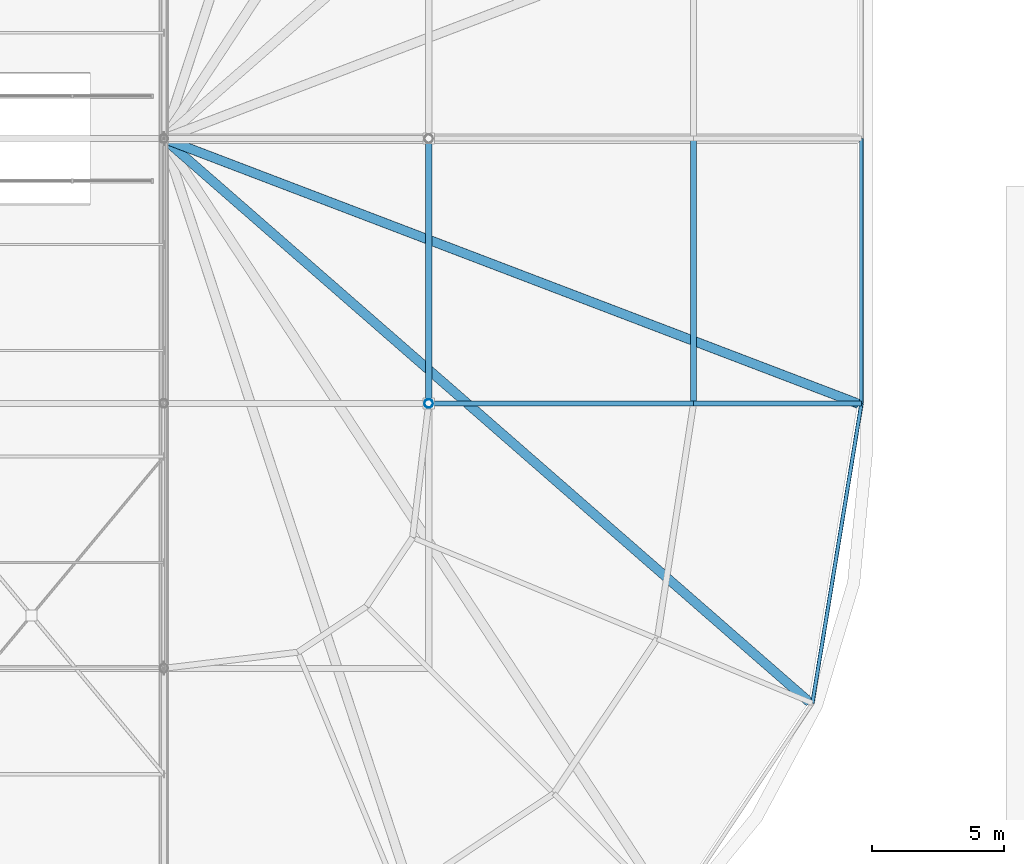
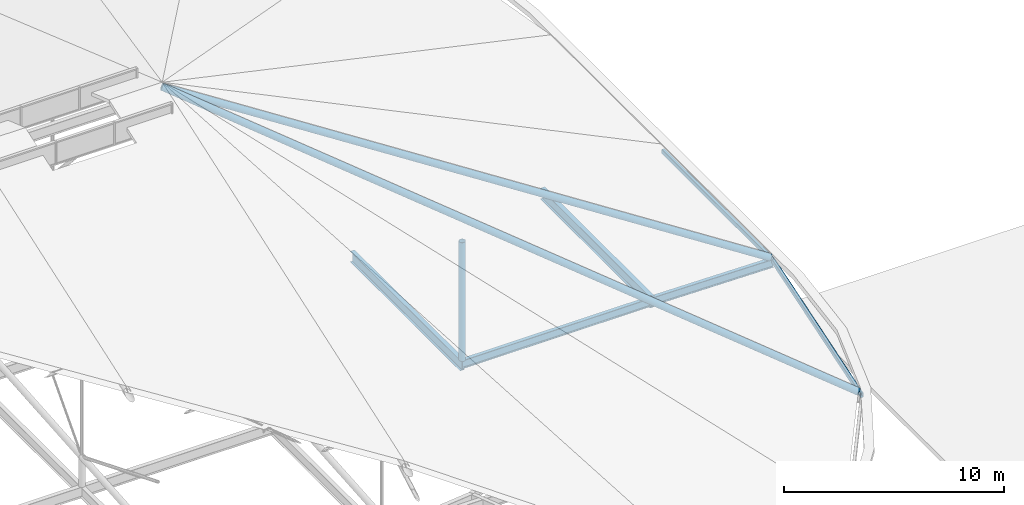
# One storey, part 66 of 93: 6 beams, 3 members.
"""IFC4 building model written with IfcOpenShell, lengths in metres."""

from ifc_helpers import new_model, si_unit, derived_unit, direction, frame, origin, origin_2d_with_axis, place, context, subcontext, project, spatial, hollow_rectangle, hollow_circle, i_section, extrude, material, material_profile, profile_set, type_object, element, save


model = new_model("IFC4")

# Units and contexts
model_context = context("Model", 3, precision=1e-05, world=origin(), true_north=direction((0.0, 1.0)))
body_context = subcontext(model_context, "Body", "Model", "MODEL_VIEW")
ifc_project = project(units=[si_unit("LENGTHUNIT", "METRE"), si_unit("AREAUNIT", "SQUARE_METRE"), si_unit("VOLUMEUNIT", "CUBIC_METRE"), si_unit("PLANEANGLEUNIT", "RADIAN"), si_unit("MASSUNIT", "GRAM", prefix="KILO"), derived_unit("THERMALTRANSMITTANCEUNIT", [(si_unit("POWERUNIT", "WATT"), 1), (si_unit("LENGTHUNIT", "METRE"), -2), (si_unit("THERMODYNAMICTEMPERATUREUNIT", "KELVIN"), -1)])], contexts=[model_context])

# Site, building, storey
site_placement = place(None, origin())
site = spatial("IfcSite", under=ifc_project, at=site_placement, CompositionType="ELEMENT")
building_placement = place(site_placement, origin())
building = spatial("IfcBuilding", under=site, at=building_placement, Name="Cinnabar Yard Market Hall", CompositionType="ELEMENT")
storey_placement = place(building_placement, frame((0.0, 0.0, 23.800048828125)))
storey = spatial("IfcBuildingStorey", under=building, at=storey_placement, Name="ROOF", CompositionType="ELEMENT", Elevation=23.800048828125)

# Beams
ifc_material_1 = material(Name="Steel Grade 350 (350 MPa)", Category="steel")
ifc_material_profile_1 = material_profile(ifc_material_1, i_section(OverallWidth=0.22900390625, OverallDepth=0.611572265625, WebThickness=0.011962890625, FlangeThickness=0.01953125, FilletRadius=0.013916015625, at=origin_2d_with_axis()), Name="610UB125")
ifc_profile_set_1 = profile_set([ifc_material_profile_1], Name="Steel Grade 350 (350 MPa)")
beam_type_1 = type_object("IfcBeamType", Name="BM-B01E", PredefinedType="BEAM", material=ifc_profile_set_1)
beam_1_placement = place(storey_placement, frame((166.0, 34.0, -9.705810546875), z_axis=(0.0, 1.0, 0.0), x_axis=(-1.0, 0.0, 0.0)))
element("IfcBeam", 1, at=beam_1_placement, inside=storey, type_object=beam_type_1, Name="East Springer Girder 00369", PredefinedType="BEAM", context=body_context, shape_type="SweptSolid", body=[
    extrude(i_section(OverallWidth=0.22900390625, OverallDepth=0.611572265625, WebThickness=0.011962890625, FlangeThickness=0.01953125, FilletRadius=0.013916015625, at=origin_2d_with_axis()), origin(), (0.0, 0.0, 1.0), 10.0),
])
ifc_material_2 = material(Name="Steel Grade 300 (300 MPa)", Category="steel")
ifc_material_profile_2 = material_profile(ifc_material_2, i_section(OverallWidth=0.22802734375, OverallDepth=0.60205078125, WebThickness=0.010498046875, FlangeThickness=0.014892578125, FilletRadius=0.013916015625, at=origin_2d_with_axis()), Name="610UB101")
ifc_profile_set_2 = profile_set([ifc_material_profile_2], Name="Steel Grade 300 (300 MPa)")
beam_type_2 = type_object("IfcBeamType", Name="BM-B02", PredefinedType="BEAM", material=ifc_profile_set_2)
beam_2_placement = place(storey_placement, frame((156.0, 34.0, -9.700927734375), z_axis=(0.0, 1.0, 0.0), x_axis=(-1.0, 0.0, 0.0)))
element("IfcBeam", 2, at=beam_2_placement, inside=storey, type_object=beam_type_2, Name="Hall Transverse Tie Girder 00445", PredefinedType="BEAM", context=body_context, shape_type="SweptSolid", body=[
    extrude(i_section(OverallWidth=0.22802734375, OverallDepth=0.60205078125, WebThickness=0.010498046875, FlangeThickness=0.014892578125, FilletRadius=0.013916015625, at=origin_2d_with_axis()), origin(), (0.0, 0.0, 1.0), 10.0),
])
ifc_material_profile_3 = material_profile(ifc_material_2, i_section(OverallWidth=0.19091796875, OverallDepth=0.46044921875, WebThickness=0.010009765625, FlangeThickness=0.01611328125, FilletRadius=0.011474609375, at=origin_2d_with_axis()), Name="460UB82.1")
ifc_profile_set_3 = profile_set([ifc_material_profile_3], Name="Steel Grade 300 (300 MPa)")
beam_type_3 = type_object("IfcBeamType", Name="BM-B04", PredefinedType="BEAM", material=ifc_profile_set_3)
beam_3_placement = place(storey_placement, frame((156.0, 34.0, -9.630126953125), z_axis=(1.0, 0.0, 0.0), x_axis=(0.0, 1.0, 0.0)))
element("IfcBeam", 3, at=beam_3_placement, inside=storey, type_object=beam_type_3, Name="East Chhajja Backspan Girder 00562", PredefinedType="BEAM", context=body_context, shape_type="SweptSolid", body=[
    extrude(i_section(OverallWidth=0.19091796875, OverallDepth=0.46044921875, WebThickness=0.010009765625, FlangeThickness=0.01611328125, FilletRadius=0.011474609375, at=origin_2d_with_axis()), origin(), (0.0, 0.0, 1.0), 10.0),
])
ifc_material_profile_4 = material_profile(ifc_material_2, i_section(OverallWidth=0.19091796875, OverallDepth=0.46044921875, WebThickness=0.010009765625, FlangeThickness=0.01611328125, FilletRadius=0.011474609375, at=origin_2d_with_axis()), Name="460UB82.1")
ifc_profile_set_4 = profile_set([ifc_material_profile_4], Name="Steel Grade 300 (300 MPa)")
beam_type_4 = type_object("IfcBeamType", Name="BM-RF02E", PredefinedType="BEAM", material=ifc_profile_set_4)
beam_4_placement = place(storey_placement, frame((166.0, 34.0, -9.630126953125), z_axis=(0.999920245484, 0.0, -0.012629436656), x_axis=(0.0, 1.0, 0.0)))
element("IfcBeam", 4, at=beam_4_placement, inside=storey, type_object=beam_type_4, Name="East Chhajja Cantilever Rafter 00563", PredefinedType="BEAM", context=body_context, shape_type="SweptSolid", body=[
    extrude(i_section(OverallWidth=0.19091796875, OverallDepth=0.46044921875, WebThickness=0.010009765625, FlangeThickness=0.01611328125, FilletRadius=0.011474609375, at=origin_2d_with_axis()), origin(), (0.0, 0.0, 1.0), 6.340576171875),
])
ifc_material_3 = material(Name="Cold-formed steel C350L0", Category="steel")
ifc_material_profile_5 = material_profile(ifc_material_3, hollow_rectangle(XDim=0.14990234375, YDim=0.25, WallThickness=0.009033203125, InnerFilletRadius=0.009033203125, OuterFilletRadius=0.01806640625, at=origin_2d_with_axis()), Name="250x150x9.0RHS")
ifc_profile_set_5 = profile_set([ifc_material_profile_5], Name="Cold-formed steel C350L0")
beam_type_5 = type_object("IfcBeamType", Name="BM-SP01E", PredefinedType="SPANDREL", material=ifc_profile_set_5)
beam_5_placement = place(storey_placement, frame((170.4873046875, 22.685546875, -9.60498046875), z_axis=(0.161601310879, 0.986856127469, 0.0), x_axis=(-0.986856127469, 0.161601310879, 0.0)))
element("IfcBeam", 5, at=beam_5_placement, inside=storey, type_object=beam_type_5, Name="Eave Fascia Ring SE 00477", PredefinedType="SPANDREL", context=body_context, shape_type="SweptSolid", body=[
    extrude(hollow_rectangle(XDim=0.14990234375, YDim=0.25, WallThickness=0.009033203125, InnerFilletRadius=0.009033203125, OuterFilletRadius=0.01806640625, at=origin_2d_with_axis()), origin(), (0.0, 0.0, 1.0), 11.465087890625),
])
beam_6_placement = place(storey_placement, frame((172.340087890625, 34.0, -9.60498046875), z_axis=(0.0, 1.0, 0.0), x_axis=(-1.0, 0.0, 0.0)))
element("IfcBeam", 6, at=beam_6_placement, inside=storey, type_object=beam_type_5, Name="East Eave Fascia 00573", PredefinedType="SPANDREL", context=body_context, shape_type="SweptSolid", body=[
    extrude(hollow_rectangle(XDim=0.14990234375, YDim=0.25, WallThickness=0.009033203125, InnerFilletRadius=0.009033203125, OuterFilletRadius=0.01806640625, at=origin_2d_with_axis()), origin(), (0.0, 0.0, 1.0), 10.0),
])

# Members
ifc_material_4 = material(Name="Spotted-gum glulam-clad steel Grade 350 (350 MPa)", Category="steel")
ifc_material_profile_6 = material_profile(ifc_material_4, hollow_circle(Radius=0.161865234375, WallThickness=0.009521484375, at=origin_2d_with_axis()), Name="323.9x9.5CHS")
ifc_profile_set_6 = profile_set([ifc_material_profile_6], Name="Spotted-gum glulam-clad steel Grade 350 (350 MPa)")
member_type_1 = type_object("IfcMemberType", Name="MB-ST01", PredefinedType="STRUT", material=ifc_profile_set_6)
member_1_placement = place(storey_placement, frame((156.0, 34.0, -9.400146484375), z_axis=(0.0, 0.0, 1.0), x_axis=(1.0, 0.0, 0.0)))
element("IfcMember", 7, at=member_1_placement, inside=storey, type_object=member_type_1, Name="Apsidal Roof Post 156-34", PredefinedType="STRUT", context=body_context, shape_type="SweptSolid", body=[
    extrude(hollow_circle(Radius=0.161865234375, WallThickness=0.009521484375, at=origin_2d_with_axis()), origin(), (0.0, 0.0, 1.0), 6.60009765625),
])
ifc_material_profile_7 = material_profile(ifc_material_3, hollow_circle(Radius=0.177734375, WallThickness=0.0126953125, at=origin_2d_with_axis()), Name="355.6x12.7CHS")
ifc_profile_set_7 = profile_set([ifc_material_profile_7], Name="Cold-formed steel C350L0")
member_type_2 = type_object("IfcMemberType", Name="MB-TC01", PredefinedType="CHORD", material=ifc_profile_set_7)
member_2_placement = place(storey_placement, frame((146.0, 44.0, 3.199951171875), z_axis=(0.701954212015, -0.612706049447, -0.363113730401), x_axis=(0.657589967821, 0.753376024453, 0.0)))
element("IfcMember", 8, at=member_2_placement, inside=storey, type_object=member_type_2, Name="East Apsidal Hip Rafter 03", PredefinedType="CHORD", context=body_context, shape_type="SweptSolid", body=[
    extrude(hollow_circle(Radius=0.177734375, WallThickness=0.0126953125, at=origin_2d_with_axis()), origin(), (0.0, 0.0, 1.0), 34.7001953125),
])
member_3_placement = place(storey_placement, frame((146.0, 44.0, 3.199951171875), z_axis=(0.852194344827, -0.325265623297, -0.409837861776), x_axis=(0.356588973072, 0.934261368292, 0.0)))
element("IfcMember", 9, at=member_3_placement, inside=storey, type_object=member_type_2, Name="East Apsidal Hip Rafter 04", PredefinedType="CHORD", context=body_context, shape_type="SweptSolid", body=[
    extrude(hollow_circle(Radius=0.177734375, WallThickness=0.0126953125, at=origin_2d_with_axis()), origin(), (0.0, 0.0, 1.0), 30.744140625),
])

save(model, "model.ifc")
